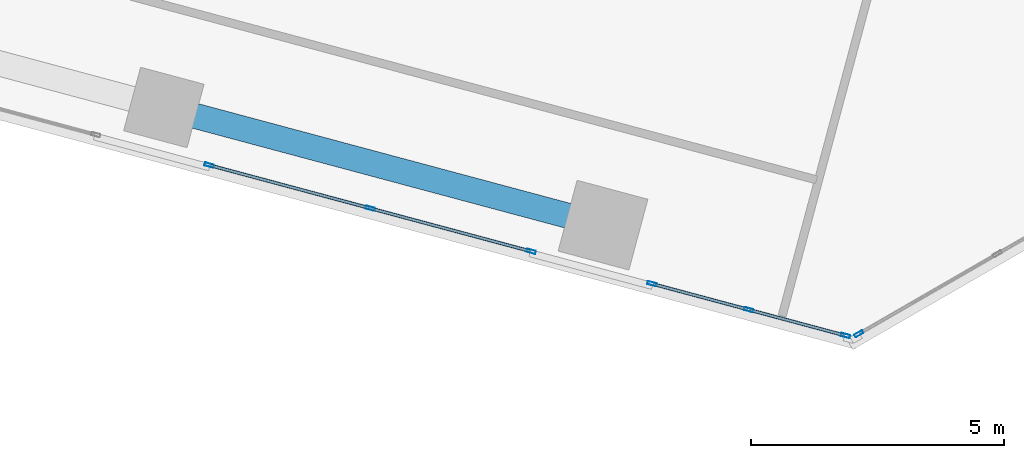
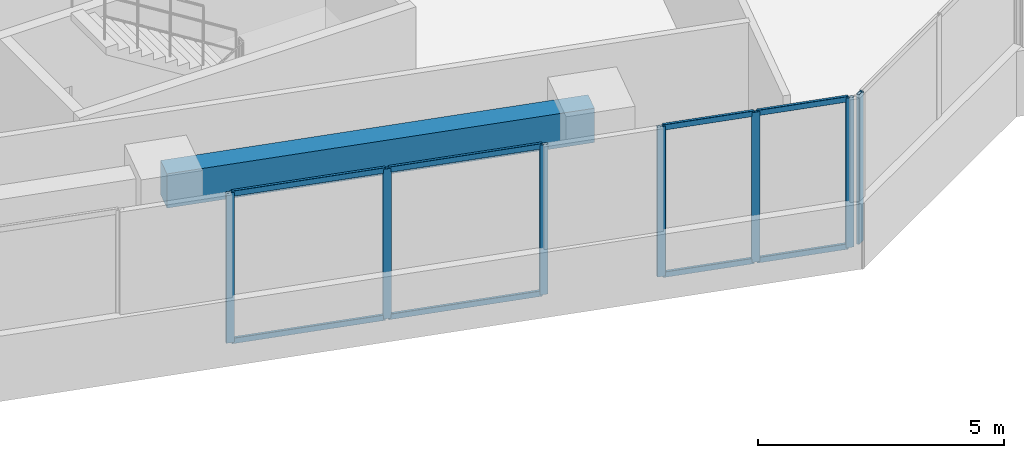
# One storey, part 4 of 26: 15 members, 1 beam, 3 elements without a shape of their own.
"""IFC4 building model written with IfcOpenShell, lengths in metres."""

from ifc_helpers import new_model, si_unit, direction, frame, origin, origin_2d, place, context, subcontext, project, spatial, rectangle, hollow_rectangle, extrude, source, transform, mapped, material, material_profile, profile_set, type_object, element, aggregate, save


model = new_model("IFC4")

# Units and contexts
model_context = context("Model", 3, precision=1e-05, world=origin(), true_north=direction((0.0, 1.0)))
body_context = subcontext(model_context, "Body", "Model", "MODEL_VIEW")
ifc_project = project(units=[si_unit("LENGTHUNIT", "METRE"), si_unit("AREAUNIT", "SQUARE_METRE"), si_unit("VOLUMEUNIT", "CUBIC_METRE"), si_unit("PLANEANGLEUNIT", "RADIAN"), si_unit("MASSUNIT", "GRAM", prefix="KILO")], contexts=[model_context])

# Site, building, storey
site_placement = place(None, origin())
site = spatial("IfcSite", under=ifc_project, at=site_placement, CompositionType="ELEMENT")
building_placement = place(site_placement, origin())
building = spatial("IfcBuilding", under=site, at=building_placement, Name="Torre Montelarca", CompositionType="ELEMENT")
storey_placement = place(building_placement, frame((0.0, 0.0, 100.0)))
storey = spatial("IfcBuildingStorey", under=building, at=storey_placement, Name="L22", CompositionType="ELEMENT", Elevation=100.0)

# Beam
ifc_material_1 = material(Name="Concrete C55/67", Category="concrete")
ifc_material_profile_1 = material_profile(ifc_material_1, rectangle(XDim=0.5, YDim=0.85009765625, at=origin_2d()), Name="RCB500X850", Category="concrete")
ifc_profile_set_1 = profile_set([ifc_material_profile_1], Name="Concrete C55/67")
beam_type = type_object("IfcBeamType", Name="BM-SP-RC850-EXT", PredefinedType="SPANDREL", material=ifc_profile_set_1)
shared_shape_1 = source(origin(), body_context, "Body", "SweptSolid", [
    extrude(rectangle(XDim=0.5, YDim=0.85009765625, at=origin_2d()), origin(), (0.0, 0.0, 1.0), 9.0),
])
beam_placement = place(storey_placement, frame((13.66748046875, 16.2919921875, 3.534912109375), z_axis=(0.965926740751, -0.25881563226, 0.0), x_axis=(0.25881563226, 0.965926740751, 0.0)))
element("IfcBeam", 1, at=beam_placement, inside=storey, type_object=beam_type, Name="L22 Grid Girder X 18.0-27.0 at Y=14.8", PredefinedType="SPANDREL", context=body_context, shape_type="MappedRepresentation", body=[
    mapped(shared_shape_1, transform((0.0, 0.0, 0.0), scale=1.0)),
])

# Curtain wall, members
ifc_material_2 = material(Name="Insulated low-E laminated glass", Category="glass")
curtain_wall_type = type_object("IfcCurtainWallType", Name="CW-SYS-Z1", PredefinedType="USERDEFINED", material=ifc_material_2)
curtain_wall_1_placement = place(storey_placement, origin())
curtain_wall_1 = element("IfcCurtainWall", 2, at=curtain_wall_1_placement, inside=storey, type_object=curtain_wall_type, Name="L22 Curtain Wall Run CW-T3-L22-E01-B2", ObjectType="UNITISED GLAZING", PredefinedType="USERDEFINED")
ifc_material_3 = material(Name="Anodised aluminium AA 6063-T6", Category="aluminium")
ifc_material_profile_2 = material_profile(ifc_material_3, hollow_rectangle(XDim=0.06494140625, YDim=0.139892578125, WallThickness=0.00390625, InnerFilletRadius=0.00390625, OuterFilletRadius=0.008056640625, at=origin_2d()), Name="ALU65X140X4", Category="aluminium")
ifc_profile_set_2 = profile_set([ifc_material_profile_2], Name="Anodised aluminium AA 6063-T6")
member_type_1 = type_object("IfcMemberType", Name="CWT-ALU140", PredefinedType="USERDEFINED", material=ifc_profile_set_2)
shared_shape_2 = source(origin(), body_context, "Body", "SweptSolid", [
    extrude(hollow_rectangle(XDim=0.06494140625, YDim=0.139892578125, WallThickness=0.00390625, InnerFilletRadius=0.00390625, OuterFilletRadius=0.008056640625, at=origin_2d()), origin(), (0.0, 0.0, 1.0), 3.235107421875),
])
member_1_placement = place(storey_placement, frame((14.5966796875, 15.142333984375, 0.032470703125), z_axis=(0.965916047085, -0.258855538831, 0.0), x_axis=(0.258855538831, 0.965916047085, 0.0)))
member_1 = element("IfcMember", 3, at=member_1_placement, type_object=member_type_1, Name="CW transom 1.1", ObjectType="TRANSOM", PredefinedType="USERDEFINED", context=body_context, shape_type="MappedRepresentation", body=[
    mapped(shared_shape_2, transform((0.0, 0.0, 0.0), scale=1.0)),
])
member_2_placement = place(storey_placement, frame((14.5966796875, 15.142333984375, 3.6875), z_axis=(0.965916047085, -0.258855538831, 0.0), x_axis=(0.258855538831, 0.965916047085, 0.0)))
member_2 = element("IfcMember", 4, at=member_2_placement, type_object=member_type_1, Name="CW transom 1.2", ObjectType="TRANSOM", PredefinedType="USERDEFINED", context=body_context, shape_type="MappedRepresentation", body=[
    mapped(shared_shape_2, transform((0.0, 0.0, 0.0), scale=1.0)),
])

curtain_wall_2_placement = place(storey_placement, origin())
curtain_wall_2 = element("IfcCurtainWall", 5, at=curtain_wall_2_placement, inside=storey, type_object=curtain_wall_type, Name="L22 Curtain Wall Run CW-T3-L22-E01-B3", ObjectType="UNITISED GLAZING", PredefinedType="USERDEFINED")
shared_shape_3 = source(origin(), body_context, "Body", "SweptSolid", [
    extrude(hollow_rectangle(XDim=0.06494140625, YDim=0.139892578125, WallThickness=0.00390625, InnerFilletRadius=0.00390625, OuterFilletRadius=0.008056640625, at=origin_2d()), origin(), (0.0, 0.0, 1.0), 1.9169921875),
])
member_3_placement = place(storey_placement, frame((23.362548828125, 12.79345703125, 0.032470703125), z_axis=(0.965929859648, -0.258803991931, 0.0), x_axis=(0.258803991931, 0.965929859648, 0.0)))
member_3 = element("IfcMember", 6, at=member_3_placement, type_object=member_type_1, Name="CW transom 1.1", ObjectType="TRANSOM", PredefinedType="USERDEFINED", context=body_context, shape_type="MappedRepresentation", body=[
    mapped(shared_shape_3, transform((0.0, 0.0, 0.0), scale=1.0)),
])
member_4_placement = place(storey_placement, frame((23.362548828125, 12.79345703125, 3.6875), z_axis=(0.965929859648, -0.258803991931, 0.0), x_axis=(0.258803991931, 0.965929859648, 0.0)))
member_4 = element("IfcMember", 7, at=member_4_placement, type_object=member_type_1, Name="CW transom 1.2", ObjectType="TRANSOM", PredefinedType="USERDEFINED", context=body_context, shape_type="MappedRepresentation", body=[
    mapped(shared_shape_3, transform((0.0, 0.0, 0.0), scale=1.0)),
])
member_5_placement = place(storey_placement, frame((25.277099609375, 12.280517578125, 0.032470703125), z_axis=(0.965929859648, -0.258803991931, 0.0), x_axis=(0.258803991931, 0.965929859648, 0.0)))
member_5 = element("IfcMember", 8, at=member_5_placement, type_object=member_type_1, Name="CW transom 2.1", ObjectType="TRANSOM", PredefinedType="USERDEFINED", context=body_context, shape_type="MappedRepresentation", body=[
    mapped(shared_shape_3, transform((0.0, 0.0, 0.0), scale=1.0)),
])
member_6_placement = place(storey_placement, frame((25.277099609375, 12.280517578125, 3.6875), z_axis=(0.965929859648, -0.258803991931, 0.0), x_axis=(0.258803991931, 0.965929859648, 0.0)))
member_6 = element("IfcMember", 9, at=member_6_placement, type_object=member_type_1, Name="CW transom 2.2", ObjectType="TRANSOM", PredefinedType="USERDEFINED", context=body_context, shape_type="MappedRepresentation", body=[
    mapped(shared_shape_3, transform((0.0, 0.0, 0.0), scale=1.0)),
])

# Member
shared_shape_4 = source(origin(), body_context, "Body", "SweptSolid", [
    extrude(hollow_rectangle(XDim=0.06494140625, YDim=0.139892578125, WallThickness=0.00390625, InnerFilletRadius=0.00390625, OuterFilletRadius=0.008056640625, at=origin_2d()), origin(), (0.0, 0.0, 1.0), 3.23486328125),
])
member_7_placement = place(storey_placement, frame((17.7841796875, 14.2880859375, 0.032470703125), z_axis=(0.965934914378, -0.25878512551, 0.0), x_axis=(0.25878512551, 0.965934914378, 0.0)))
member_7 = element("IfcMember", 10, at=member_7_placement, type_object=member_type_1, Name="CW transom 2.1", ObjectType="TRANSOM", PredefinedType="USERDEFINED", context=body_context, shape_type="MappedRepresentation", body=[
    mapped(shared_shape_4, transform((0.0, 0.0, 0.0), scale=1.0)),
])

member_8_placement = place(storey_placement, frame((17.7841796875, 14.2880859375, 3.6875), z_axis=(0.965934914378, -0.25878512551, 0.0), x_axis=(0.25878512551, 0.965934914378, 0.0)))
member_8 = element("IfcMember", 11, at=member_8_placement, type_object=member_type_1, Name="CW transom 2.2", ObjectType="TRANSOM", PredefinedType="USERDEFINED", context=body_context, shape_type="MappedRepresentation", body=[
    mapped(shared_shape_4, transform((0.0, 0.0, 0.0), scale=1.0)),
])

ifc_material_profile_3 = material_profile(ifc_material_3, hollow_rectangle(XDim=0.06494140625, YDim=0.179931640625, WallThickness=0.00390625, InnerFilletRadius=0.00390625, OuterFilletRadius=0.008056640625, at=origin_2d()), Name="ALU65X180X4", Category="aluminium")
ifc_profile_set_3 = profile_set([ifc_material_profile_3], Name="Anodised aluminium AA 6063-T6")
member_type_2 = type_object("IfcMemberType", Name="CWM-ALU180", PredefinedType="MULLION", material=ifc_profile_set_3)
shared_shape_5 = source(origin(), body_context, "Body", "SweptSolid", [
    extrude(hollow_rectangle(XDim=0.06494140625, YDim=0.179931640625, WallThickness=0.00390625, InnerFilletRadius=0.00390625, OuterFilletRadius=0.008056640625, at=origin_2d()), origin(), (0.0, 0.0, 1.0), 3.719970703125),
])
member_9_placement = place(storey_placement, frame((14.565185546875, 15.150634765625, 0.0), z_axis=(0.0, 0.0, 1.0), x_axis=(0.258814830656, 0.965926955537, 0.0)))
member_9 = element("IfcMember", 12, at=member_9_placement, type_object=member_type_2, Name="CW mullion 1", PredefinedType="MULLION", context=body_context, shape_type="MappedRepresentation", body=[
    mapped(shared_shape_5, transform((0.0, 0.0, 0.0), scale=1.0)),
])

member_10_placement = place(storey_placement, frame((17.7529296875, 14.296630859375, 0.0), z_axis=(0.0, 0.0, 1.0), x_axis=(0.258814830656, 0.965926955537, 0.0)))
member_10 = element("IfcMember", 13, at=member_10_placement, type_object=member_type_2, Name="CW mullion 2", PredefinedType="MULLION", context=body_context, shape_type="MappedRepresentation", body=[
    mapped(shared_shape_5, transform((0.0, 0.0, 0.0), scale=1.0)),
])

member_11_placement = place(storey_placement, frame((20.9404296875, 13.442626953125, 0.0), z_axis=(0.0, 0.0, 1.0), x_axis=(0.258814830656, 0.965926955537, 0.0)))
member_11 = element("IfcMember", 14, at=member_11_placement, type_object=member_type_2, Name="CW mullion 3", PredefinedType="MULLION", context=body_context, shape_type="MappedRepresentation", body=[
    mapped(shared_shape_5, transform((0.0, 0.0, 0.0), scale=1.0)),
])

aggregate(curtain_wall_1, [member_9, member_10, member_11, member_1, member_2, member_7, member_8])

member_12_placement = place(storey_placement, frame((23.3310546875, 12.802001953125, 0.0), z_axis=(0.0, 0.0, 1.0), x_axis=(0.258817964349, 0.965926115875, 0.0)))
member_12 = element("IfcMember", 15, at=member_12_placement, type_object=member_type_2, Name="CW mullion 1", PredefinedType="MULLION", context=body_context, shape_type="MappedRepresentation", body=[
    mapped(shared_shape_5, transform((0.0, 0.0, 0.0), scale=1.0)),
])

member_13_placement = place(storey_placement, frame((25.24560546875, 12.288818359375, 0.0), z_axis=(0.0, 0.0, 1.0), x_axis=(0.258817964349, 0.965926115875, 0.0)))
member_13 = element("IfcMember", 16, at=member_13_placement, type_object=member_type_2, Name="CW mullion 2", PredefinedType="MULLION", context=body_context, shape_type="MappedRepresentation", body=[
    mapped(shared_shape_5, transform((0.0, 0.0, 0.0), scale=1.0)),
])

member_14_placement = place(storey_placement, frame((27.16015625, 11.77587890625, 0.0), z_axis=(0.0, 0.0, 1.0), x_axis=(0.258817964349, 0.965926115875, 0.0)))
member_14 = element("IfcMember", 17, at=member_14_placement, type_object=member_type_2, Name="CW mullion 3", PredefinedType="MULLION", context=body_context, shape_type="MappedRepresentation", body=[
    mapped(shared_shape_5, transform((0.0, 0.0, 0.0), scale=1.0)),
])

aggregate(curtain_wall_2, [member_12, member_13, member_14, member_3, member_4, member_5, member_6])

# Curtain wall, member
curtain_wall_3_placement = place(storey_placement, origin())
curtain_wall_3 = element("IfcCurtainWall", 18, at=curtain_wall_3_placement, inside=storey, type_object=curtain_wall_type, Name="L22 Curtain Wall Run CW-T3-L22-E02-B1", ObjectType="UNITISED GLAZING", PredefinedType="USERDEFINED")
member_15_placement = place(storey_placement, frame((27.4248046875, 11.810791015625, 0.0), z_axis=(0.0, 0.0, 1.0), x_axis=(-0.500001094386, 0.86602477194, 0.0)))
member_15 = element("IfcMember", 19, at=member_15_placement, type_object=member_type_2, Name="CW mullion 1", PredefinedType="MULLION", context=body_context, shape_type="MappedRepresentation", body=[
    mapped(shared_shape_5, transform((0.0, 0.0, 0.0), scale=1.0)),
])
aggregate(curtain_wall_3, [member_15])

save(model, "model.ifc")
